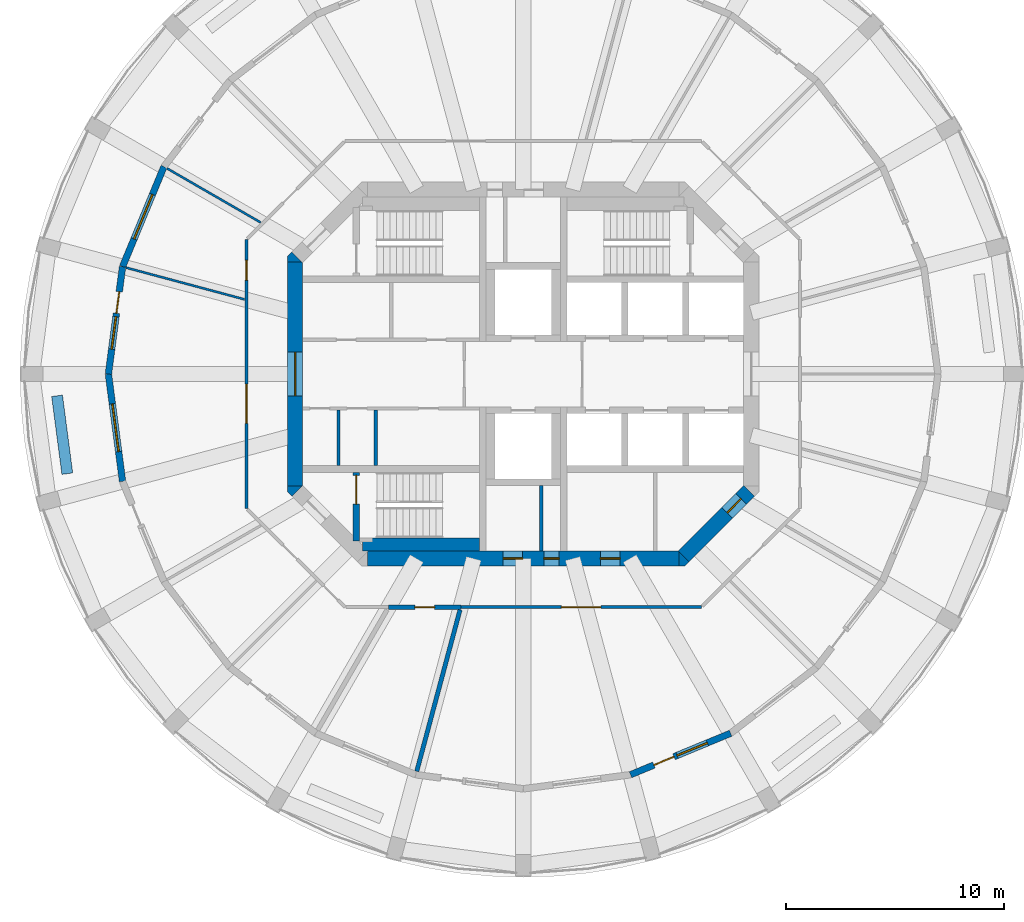
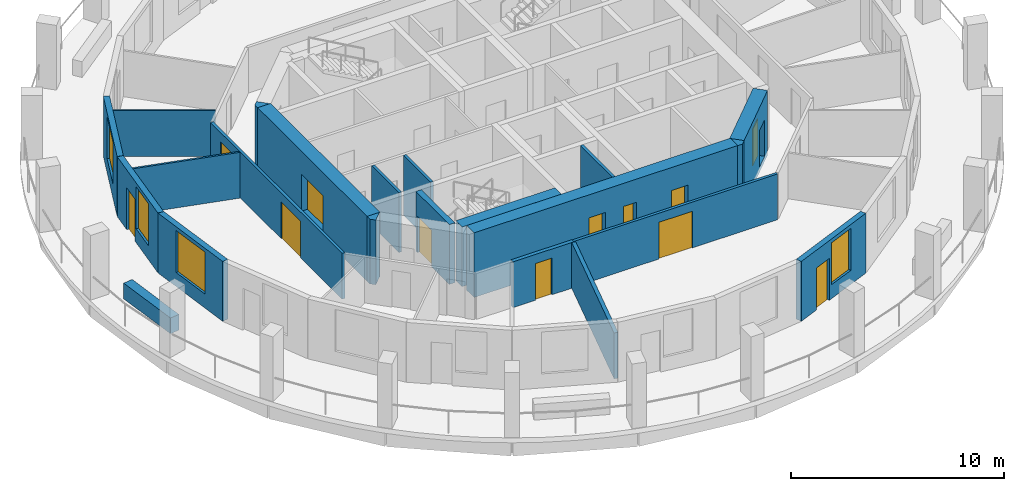
# One storey, part 3 of 9: 22 walls, 12 doors, 4 windows, 16 openings.
"""IFC4 building model written with IfcOpenShell, lengths in metres."""

from ifc_helpers import new_model, si_unit, direction, frame, frame_2d, origin, place, context, subcontext, project, spatial, polyline, rectangle, outline, extrude, material, layer, layer_set, type_object, element, fill, save


model = new_model("IFC4")

# Units and contexts
model_context = context("Model", 3, precision=1e-05, world=origin(), true_north=direction((0.0, 1.0)))
body_context = subcontext(model_context, "Body", "Model", "MODEL_VIEW")
ifc_project = project(units=[si_unit("LENGTHUNIT", "METRE"), si_unit("AREAUNIT", "SQUARE_METRE"), si_unit("VOLUMEUNIT", "CUBIC_METRE"), si_unit("PLANEANGLEUNIT", "RADIAN"), si_unit("MASSUNIT", "GRAM", prefix="KILO")], contexts=[model_context])

# Site, building, storey
site_placement = place(None, origin())
site = spatial("IfcSite", under=ifc_project, at=site_placement, CompositionType="ELEMENT")
building_placement = place(site_placement, origin())
building = spatial("IfcBuilding", under=site, at=building_placement, Name="Torre Triforio", CompositionType="ELEMENT")
storey_placement = place(building_placement, frame((0.0, 0.0, 161.60009765625)))
storey = spatial("IfcBuildingStorey", under=building, at=storey_placement, Name="L36", CompositionType="ELEMENT", Elevation=161.60009765625)

# Wall, openings, doors
ifc_material_1 = material(Name="Concrete C50", Category="concrete")
ifc_layer_1 = layer(ifc_material_1, 0.699951171875)
ifc_layer_set_1 = layer_set([ifc_layer_1], Name="Concrete C50")
wall_type_1 = type_object("IfcWallType", Name="Core wall 700 mm C50 EI 120", PredefinedType="SHEAR", material=ifc_layer_set_1)
wall_1_placement = place(storey_placement, frame((-7.1298828125, -8.449951171875, -0.280029296875), z_axis=(0.0, 0.0, 1.0), x_axis=(1.0, 0.0, 0.0)))
wall_1 = element("IfcWall", 1, at=wall_1_placement, inside=storey, type_object=wall_type_1, Name="Core wall", PredefinedType="SHEAR", context=body_context, shape_type="SweptSolid", body=[
    extrude(rectangle(XDim=14.259765625, YDim=0.699951171875, at=frame_2d((7.1298828125, 0.0))), origin(), (0.0, 0.0, 1.0), 3.699951171875),
])
opening_1_placement = place(wall_1_placement, frame((8.080078125, 0.0, 0.280029296875)))
opening_1 = element("IfcOpeningElement", 2, at=opening_1_placement, cuts=wall_1, Name="Opening RISER-S", PredefinedType="OPENING", context=body_context, shape_type="SweptSolid", body=[
    extrude(rectangle(XDim=0.699951171875, YDim=2.10009765625, at=frame_2d((0.35009765625, 1.050048828125))), frame((0.0, 0.35986328125, 0.0), z_axis=(0.0, -1.0, 0.0), x_axis=(1.0, 0.0, 0.0)), (0.0, 0.0, 1.0), 0.719970703125),
])
opening_2_placement = place(wall_1_placement, frame((6.205078125, 0.0, 0.280029296875)))
opening_2 = element("IfcOpeningElement", 3, at=opening_2_placement, cuts=wall_1, Name="Opening SW-01B", PredefinedType="OPENING", context=body_context, shape_type="SweptSolid", body=[
    extrude(rectangle(XDim=0.89990234375, YDim=2.10009765625, at=frame_2d((0.449951171875, 1.050048828125))), frame((0.0, 0.35986328125, 0.0), z_axis=(0.0, -1.0, 0.0), x_axis=(1.0, 0.0, 0.0)), (0.0, 0.0, 1.0), 0.719970703125),
])
opening_3_placement = place(wall_1_placement, frame((10.66748046875, 0.0, 0.280029296875)))
opening_3 = element("IfcOpeningElement", 4, at=opening_3_placement, cuts=wall_1, Name="Opening SE-01A", PredefinedType="OPENING", context=body_context, shape_type="SweptSolid", body=[
    extrude(rectangle(XDim=0.89990234375, YDim=2.10009765625, at=frame_2d((0.449951171875, 1.050048828125))), frame((0.0, 0.35986328125, 0.0), z_axis=(0.0, -1.0, 0.0), x_axis=(1.0, 0.0, 0.0)), (0.0, 0.0, 1.0), 0.719970703125),
])
ifc_material_2 = material(Name="Hollow metal fire door leaf")
door_type_1 = type_object("IfcDoorType", Name="Riser door 700 x 2100 EI 60", OperationType="NOTDEFINED", PredefinedType="DOOR", material=ifc_material_2)
door_1_placement = place(opening_1_placement, origin())
door_1 = element("IfcDoor", 5, at=door_1_placement, inside=storey, type_object=door_type_1, Name="Core door RISER-S", OperationType="SINGLE_SWING_RIGHT", OverallHeight=2.10009765625, OverallWidth=0.699951171875, PredefinedType="DOOR", context=body_context, shape_type="SweptSolid", body=[
    extrude(rectangle(XDim=0.699951171875, YDim=2.10009765625, at=frame_2d((0.35009765625, 1.050048828125))), frame((0.0, 0.02490234375, 0.0), z_axis=(0.0, -1.0, 0.0), x_axis=(1.0, 0.0, 0.0)), (0.0, 0.0, 1.0), 0.050048828125),
])
fill(opening_1, door_1)
door_type_2 = type_object("IfcDoorType", Name="Room door 900 x 2100 EI 60", OperationType="NOTDEFINED", PredefinedType="DOOR", material=ifc_material_2)
door_2_placement = place(opening_2_placement, origin())
door_2 = element("IfcDoor", 6, at=door_2_placement, inside=storey, type_object=door_type_2, Name="Core door SW-01", OperationType="SINGLE_SWING_LEFT", OverallHeight=2.10009765625, OverallWidth=0.89990234375, PredefinedType="DOOR", context=body_context, shape_type="SweptSolid", body=[
    extrude(rectangle(XDim=0.89990234375, YDim=2.10009765625, at=frame_2d((0.449951171875, 1.050048828125))), frame((0.0, 0.02490234375, 0.0), z_axis=(0.0, -1.0, 0.0), x_axis=(1.0, 0.0, 0.0)), (0.0, 0.0, 1.0), 0.050048828125),
])
fill(opening_2, door_2)
door_3_placement = place(opening_3_placement, origin())
door_3 = element("IfcDoor", 7, at=door_3_placement, inside=storey, type_object=door_type_2, Name="Core door SE-01", OperationType="SINGLE_SWING_LEFT", OverallHeight=2.10009765625, OverallWidth=0.89990234375, PredefinedType="DOOR", context=body_context, shape_type="SweptSolid", body=[
    extrude(rectangle(XDim=0.89990234375, YDim=2.10009765625, at=frame_2d((0.449951171875, 1.050048828125))), frame((0.0, 0.02490234375, 0.0), z_axis=(0.0, -1.0, 0.0), x_axis=(1.0, 0.0, 0.0)), (0.0, 0.0, 1.0), 0.050048828125),
])
fill(opening_3, door_3)

# Wall, opening, door
wall_2_placement = place(storey_placement, frame((-10.449951171875, -5.1298828125, -0.280029296875), z_axis=(0.0, 0.0, 1.0), x_axis=(0.0, 1.0, 0.0)))
wall_2 = element("IfcWall", 8, at=wall_2_placement, inside=storey, type_object=wall_type_1, Name="Core wall", PredefinedType="SHEAR", context=body_context, shape_type="SweptSolid", body=[
    extrude(rectangle(XDim=10.259765625, YDim=0.699951171875, at=frame_2d((5.1298828125, 0.0))), origin(), (0.0, 0.0, 1.0), 3.699951171875),
])
opening_4_placement = place(wall_2_placement, frame((4.1298828125, 0.0, 0.280029296875)))
opening_4 = element("IfcOpeningElement", 9, at=opening_4_placement, cuts=wall_2, Name="Opening W-RING", PredefinedType="OPENING", context=body_context, shape_type="SweptSolid", body=[
    extrude(rectangle(XDim=2.0, YDim=2.10009765625, at=frame_2d((1.0, 1.050048828125))), frame((0.0, 0.35986328125, 0.0), z_axis=(0.0, -1.0, 0.0), x_axis=(1.0, 0.0, 0.0)), (0.0, 0.0, 1.0), 0.719970703125),
])
door_type_3 = type_object("IfcDoorType", Name="Lobby door 2000 x 2100 EI 60", OperationType="DOUBLE_DOOR_SINGLE_SWING", PredefinedType="DOOR", material=ifc_material_2)
door_4_placement = place(opening_4_placement, origin())
door_4 = element("IfcDoor", 10, at=door_4_placement, inside=storey, type_object=door_type_3, Name="Core door W-RING", OperationType="DOUBLE_DOOR_SINGLE_SWING", OverallHeight=2.10009765625, OverallWidth=2.0, PredefinedType="DOOR", context=body_context, shape_type="SweptSolid", body=[
    extrude(rectangle(XDim=2.0, YDim=2.10009765625, at=frame_2d((1.0, 1.050048828125))), frame((0.0, 0.02490234375, 0.0), z_axis=(0.0, -1.0, 0.0), x_axis=(1.0, 0.0, 0.0)), (0.0, 0.0, 1.0), 0.050048828125),
])
fill(opening_4, door_4)

wall_3_placement = place(storey_placement, frame((10.347412109375, -5.347412109375, -0.280029296875), z_axis=(0.0, 0.0, 1.0), x_axis=(-0.707106781187, -0.707106781187, 0.0)))
wall_3 = element("IfcWall", 11, at=wall_3_placement, inside=storey, type_object=wall_type_1, Name="Core wall", PredefinedType="SHEAR", context=body_context, shape_type="SweptSolid", body=[
    extrude(rectangle(XDim=4.24267578125, YDim=0.699951171875, at=frame_2d((2.121337890625, 0.0))), origin(), (0.0, 0.0, 1.0), 3.699951171875),
])
opening_5_placement = place(wall_3_placement, frame((0.52001953125, 0.0, 0.280029296875)))
opening_5 = element("IfcOpeningElement", 12, at=opening_5_placement, cuts=wall_3, Name="Opening SE-02", PredefinedType="OPENING", context=body_context, shape_type="SweptSolid", body=[
    extrude(rectangle(XDim=0.89990234375, YDim=2.10009765625, at=frame_2d((0.449951171875, 1.050048828125))), frame((0.0, 0.35986328125, 0.0), z_axis=(0.0, -1.0, 0.0), x_axis=(1.0, 0.0, 0.0)), (0.0, 0.0, 1.0), 0.719970703125),
])
door_5_placement = place(opening_5_placement, origin())
door_5 = element("IfcDoor", 13, at=door_5_placement, inside=storey, type_object=door_type_2, Name="Core door SE-02", OperationType="SINGLE_SWING_RIGHT", OverallHeight=2.10009765625, OverallWidth=0.89990234375, PredefinedType="DOOR", context=body_context, shape_type="SweptSolid", body=[
    extrude(rectangle(XDim=0.89990234375, YDim=2.10009765625, at=frame_2d((0.449951171875, 1.050048828125))), frame((0.0, 0.02490234375, 0.0), z_axis=(0.0, -1.0, 0.0), x_axis=(1.0, 0.0, 0.0)), (0.0, 0.0, 1.0), 0.050048828125),
])
fill(opening_5, door_5)

# Walls
wall_4_placement = place(storey_placement, frame((0.0, 0.0, -0.280029296875)))
element("IfcWall", 14, at=wall_4_placement, inside=storey, type_object=wall_type_1, Name="Core wall", PredefinedType="SHEAR", context=body_context, shape_type="SweptSolid", body=[
    extrude(outline(polyline([(7.389892578125, -8.800048828125), (7.1298828125, -8.800048828125), (7.1298828125, -8.800048828125), (7.1298828125, -8.1298828125), (7.594970703125, -8.594970703125), (7.594970703125, -8.594970703125), (7.594970703125, -8.594970703125), (7.389892578125, -8.800048828125)])), origin(), (0.0, 0.0, 1.0), 3.699951171875),
])
wall_5_placement = place(storey_placement, frame((0.0, 0.0, -0.280029296875)))
element("IfcWall", 15, at=wall_5_placement, inside=storey, type_object=wall_type_1, Name="Core wall", PredefinedType="SHEAR", context=body_context, shape_type="SweptSolid", body=[
    extrude(outline(polyline([(-10.800048828125, -5.389892578125), (-10.800048828125, -5.1298828125), (-10.800048828125, -5.1298828125), (-10.1298828125, -5.1298828125), (-10.594970703125, -5.594970703125), (-10.594970703125, -5.594970703125), (-10.594970703125, -5.594970703125), (-10.800048828125, -5.389892578125)])), origin(), (0.0, 0.0, 1.0), 3.699951171875),
])
wall_6_placement = place(storey_placement, frame((0.0, 0.0, -0.280029296875)))
element("IfcWall", 16, at=wall_6_placement, inside=storey, type_object=wall_type_1, Name="Core wall", PredefinedType="SHEAR", context=body_context, shape_type="SweptSolid", body=[
    extrude(outline(polyline([(-10.594970703125, 5.594970703125), (-10.594970703125, 5.594970703125), (-10.594970703125, 5.594970703125), (-10.1298828125, 5.1298828125), (-10.800048828125, 5.1298828125), (-10.800048828125, 5.1298828125), (-10.800048828125, 5.389892578125), (-10.594970703125, 5.594970703125)])), origin(), (0.0, 0.0, 1.0), 3.699951171875),
])

# Wall, opening, door
ifc_material_3 = material(Name="Plasterboard on metal studs")
ifc_layer_2 = layer(ifc_material_3, 0.14990234375)
ifc_layer_set_2 = layer_set([ifc_layer_2], Name="Plasterboard on metal studs")
wall_type_2 = type_object("IfcWallType", Name="Corridor and tenancy wall 150 mm EI 60", PredefinedType="PARTITIONING", material=ifc_layer_set_2)
wall_7_placement = place(storey_placement, frame((8.16650390625, -10.675048828125, 0.0), z_axis=(0.0, 0.0, 1.0), x_axis=(-1.0, 0.0, 0.0)))
wall_7 = element("IfcWall", 17, at=wall_7_placement, inside=storey, type_object=wall_type_2, Name="Partition 2", PredefinedType="PARTITIONING", context=body_context, shape_type="SweptSolid", body=[
    extrude(rectangle(XDim=11.02685546875, YDim=0.14990234375, at=frame_2d((5.513427734375, 0.0))), origin(), (0.0, 0.0, 1.0), 2.619873046875),
])
opening_6_placement = place(wall_7_placement, frame((4.613525390625, 0.0, 0.0)))
opening_6 = element("IfcOpeningElement", 18, at=opening_6_placement, cuts=wall_7, Name="Opening O1-13", PredefinedType="OPENING", context=body_context, shape_type="SweptSolid", body=[
    extrude(rectangle(XDim=1.800048828125, YDim=2.10009765625, at=frame_2d((0.89990234375, 1.050048828125))), frame((0.0, 0.0849609375, 0.0), z_axis=(0.0, -1.0, 0.0), x_axis=(1.0, 0.0, 0.0)), (0.0, 0.0, 1.0), 0.169921875),
])
ifc_material_4 = material(Name="Timber", Category="wood")
door_type_4 = type_object("IfcDoorType", Name="Door 1800 x 2100 double leaf EI 30", OperationType="DOUBLE_DOOR_SINGLE_SWING", PredefinedType="DOOR", material=ifc_material_4)
door_6_placement = place(opening_6_placement, origin())
door_6 = element("IfcDoor", 19, at=door_6_placement, inside=storey, type_object=door_type_4, Name="Door O1-13", OperationType="DOUBLE_DOOR_SINGLE_SWING", OverallHeight=2.10009765625, OverallWidth=1.800048828125, PredefinedType="DOOR", context=body_context, shape_type="SweptSolid", body=[
    extrude(rectangle(XDim=1.800048828125, YDim=2.10009765625, at=frame_2d((0.89990234375, 1.050048828125))), frame((0.0, 0.02490234375, 0.0), z_axis=(0.0, -1.0, 0.0), x_axis=(1.0, 0.0, 0.0)), (0.0, 0.0, 1.0), 0.050048828125),
])
fill(opening_6, door_6)

# Wall, openings, doors
wall_8_placement = place(storey_placement, frame((-12.675048828125, -6.16650390625, 0.0), z_axis=(0.0, 0.0, 1.0), x_axis=(0.0, 1.0, 0.0)))
wall_8 = element("IfcWall", 20, at=wall_8_placement, inside=storey, type_object=wall_type_2, Name="Partition 6", PredefinedType="PARTITIONING", context=body_context, shape_type="SweptSolid", body=[
    extrude(rectangle(XDim=12.3330078125, YDim=0.14990234375, at=frame_2d((6.16650390625, 0.0))), origin(), (0.0, 0.0, 1.0), 2.619873046875),
])
opening_7_placement = place(wall_8_placement, frame((10.47314453125, 0.0, 0.0)))
opening_7 = element("IfcOpeningElement", 21, at=opening_7_placement, cuts=wall_8, Name="Opening O1-08", PredefinedType="OPENING", context=body_context, shape_type="SweptSolid", body=[
    extrude(rectangle(XDim=0.89990234375, YDim=2.10009765625, at=frame_2d((0.449951171875, 1.050048828125))), frame((0.0, 0.0849609375, 0.0), z_axis=(0.0, -1.0, 0.0), x_axis=(1.0, 0.0, 0.0)), (0.0, 0.0, 1.0), 0.169921875),
])
opening_8_placement = place(wall_8_placement, frame((3.9072265625, 0.0, 0.0)))
opening_8 = element("IfcOpeningElement", 22, at=opening_8_placement, cuts=wall_8, Name="Opening O1-09", PredefinedType="OPENING", context=body_context, shape_type="SweptSolid", body=[
    extrude(rectangle(XDim=1.800048828125, YDim=2.10009765625, at=frame_2d((0.89990234375, 1.050048828125))), frame((0.0, 0.0849609375, 0.0), z_axis=(0.0, -1.0, 0.0), x_axis=(1.0, 0.0, 0.0)), (0.0, 0.0, 1.0), 0.169921875),
])
door_7_placement = place(opening_8_placement, origin())
door_7 = element("IfcDoor", 23, at=door_7_placement, inside=storey, type_object=door_type_4, Name="Door O1-09", OperationType="DOUBLE_DOOR_SINGLE_SWING", OverallHeight=2.10009765625, OverallWidth=1.800048828125, PredefinedType="DOOR", context=body_context, shape_type="SweptSolid", body=[
    extrude(rectangle(XDim=1.800048828125, YDim=2.10009765625, at=frame_2d((0.89990234375, 1.050048828125))), frame((0.0, 0.02490234375, 0.0), z_axis=(0.0, -1.0, 0.0), x_axis=(1.0, 0.0, 0.0)), (0.0, 0.0, 1.0), 0.050048828125),
])
fill(opening_8, door_7)
door_type_5 = type_object("IfcDoorType", Name="Door 900 x 2100 single leaf EI 30", OperationType="NOTDEFINED", PredefinedType="DOOR", material=ifc_material_4)
door_8_placement = place(opening_7_placement, origin())
door_8 = element("IfcDoor", 24, at=door_8_placement, inside=storey, type_object=door_type_5, Name="Door O1-08", OperationType="SINGLE_SWING_RIGHT", OverallHeight=2.10009765625, OverallWidth=0.89990234375, PredefinedType="DOOR", context=body_context, shape_type="SweptSolid", body=[
    extrude(rectangle(XDim=0.89990234375, YDim=2.10009765625, at=frame_2d((0.449951171875, 1.050048828125))), frame((0.0, 0.02490234375, 0.0), z_axis=(0.0, -1.0, 0.0), x_axis=(1.0, 0.0, 0.0)), (0.0, 0.0, 1.0), 0.050048828125),
])
fill(opening_7, door_8)

# Walls
ifc_layer_3 = layer(ifc_material_3, 0.10009765625)
ifc_layer_set_3 = layer_set([ifc_layer_3], Name="Plasterboard on metal studs")
wall_type_3 = type_object("IfcWallType", Name="Partition 100 mm board on metal studs", PredefinedType="PARTITIONING", material=ifc_layer_set_3)
wall_9_placement = place(storey_placement, frame((-12.025146484375, 6.94287109375, 0.0), z_axis=(0.0, 0.0, 1.0), x_axis=(-0.866025463095, 0.499999897272, 0.0)))
element("IfcWall", 25, at=wall_9_placement, inside=storey, type_object=wall_type_3, Name="Partition 18", PredefinedType="PARTITIONING", context=body_context, shape_type="SweptSolid", body=[
    extrude(rectangle(XDim=4.951171875, YDim=0.10009765625, at=frame_2d((2.4755859375, 0.0))), origin(), (0.0, 0.0, 1.0), 2.619873046875),
])
wall_10_placement = place(storey_placement, frame((-12.764404296875, 3.420166015625, 0.0), z_axis=(0.0, 0.0, 1.0), x_axis=(-0.965925759926, 0.258819292773, 0.0)))
element("IfcWall", 26, at=wall_10_placement, inside=storey, type_object=wall_type_3, Name="Partition 19", PredefinedType="PARTITIONING", context=body_context, shape_type="SweptSolid", body=[
    extrude(rectangle(XDim=5.6220703125, YDim=0.10009765625, at=frame_2d((2.81103515625, 0.0))), origin(), (0.0, 0.0, 1.0), 2.619873046875),
])
ifc_material_5 = material(Name="Block and board partition")
ifc_layer_4 = layer(ifc_material_5, 0.14990234375)
ifc_layer_set_4 = layer_set([ifc_layer_4], Name="Block and board partition")
wall_type_4 = type_object("IfcWallType", Name="Partition 150 mm", PredefinedType="PARTITIONING", material=ifc_layer_set_4)
for number, where, z_axis, x_axis, name in (
    (27, (-8.465087890625, -4.199951171875, 0.0), (0.0, 0.0, 1.0), (0.0, 1.0, 0.0), "Partition"),
    (28, (-6.7548828125, -4.199951171875, 0.0), (0.0, 0.0, 1.0), (0.0, 1.0, 0.0), "Partition"),
):
    element("IfcWall", number, at=place(storey_placement, frame(where, z_axis=z_axis, x_axis=x_axis)), inside=storey, type_object=wall_type_4, Name=name, PredefinedType="PARTITIONING", context=body_context, shape_type="SweptSolid", body=[
        extrude(rectangle(XDim=2.550048828125, YDim=0.14990234375, at=frame_2d((1.27490234375, 0.0))), origin(), (0.0, 0.0, 1.0), 3.419921875),
    ])
ifc_layer_5 = layer(ifc_material_5, 0.14990234375)
ifc_layer_set_5 = layer_set([ifc_layer_5], Name="Block and board partition")
wall_type_5 = type_object("IfcWallType", Name="Partition 150 mm EI 120", PredefinedType="PARTITIONING", material=ifc_layer_set_5)
wall_11_placement = place(storey_placement, frame((0.824951171875, -8.10009765625, 0.0), z_axis=(0.0, 0.0, 1.0), x_axis=(0.0, 1.0, 0.0)))
element("IfcWall", 29, at=wall_11_placement, inside=storey, type_object=wall_type_5, Name="Partition", PredefinedType="PARTITIONING", context=body_context, shape_type="SweptSolid", body=[
    extrude(rectangle(XDim=3.0, YDim=0.14990234375, at=frame_2d((1.5, 0.0))), origin(), (0.0, 0.0, 1.0), 3.419921875),
])

# Wall, opening, door
ifc_material_6 = material(Name="Masonry block", Category="masonry")
ifc_layer_6 = layer(ifc_material_6, 0.199951171875)
ifc_layer_set_6 = layer_set([ifc_layer_6], Name="Masonry block")
wall_type_6 = type_object("IfcWallType", Name="Plant room wall 200 mm block EI 120", PredefinedType="PARTITIONING", material=ifc_layer_set_6)
wall_12_placement = place(storey_placement, frame((-2.8603515625, -10.675048828125, 0.0), z_axis=(0.0, 0.0, 1.0), x_axis=(-1.0, 0.0, 0.0)))
wall_12 = element("IfcWall", 30, at=wall_12_placement, inside=storey, type_object=wall_type_6, Name="Partition 3", PredefinedType="PARTITIONING", context=body_context, shape_type="SweptSolid", body=[
    extrude(rectangle(XDim=3.302734375, YDim=0.199951171875, at=frame_2d((1.6513671875, 0.0))), origin(), (0.0, 0.0, 1.0), 2.619873046875),
])
opening_9_placement = place(wall_12_placement, frame((1.201416015625, 0.0, 0.0)))
opening_9 = element("IfcOpeningElement", 31, at=opening_9_placement, cuts=wall_12, Name="Opening O1-12", PredefinedType="OPENING", context=body_context, shape_type="SweptSolid", body=[
    extrude(rectangle(XDim=0.89990234375, YDim=2.10009765625, at=frame_2d((0.449951171875, 1.050048828125))), frame((0.0, 0.10986328125, 0.0), z_axis=(0.0, -1.0, 0.0), x_axis=(1.0, 0.0, 0.0)), (0.0, 0.0, 1.0), 0.219970703125),
])
door_type_6 = type_object("IfcDoorType", Name="Door 900 x 2100 single leaf EI 60", OperationType="NOTDEFINED", PredefinedType="DOOR", material=ifc_material_2)
door_9_placement = place(opening_9_placement, origin())
door_9 = element("IfcDoor", 32, at=door_9_placement, inside=storey, type_object=door_type_6, Name="Door O1-12", OperationType="SINGLE_SWING_LEFT", OverallHeight=2.10009765625, OverallWidth=0.89990234375, PredefinedType="DOOR", context=body_context, shape_type="SweptSolid", body=[
    extrude(rectangle(XDim=0.89990234375, YDim=2.10009765625, at=frame_2d((0.449951171875, 1.050048828125))), frame((0.0, 0.02490234375, 0.0), z_axis=(0.0, -1.0, 0.0), x_axis=(1.0, 0.0, 0.0)), (0.0, 0.0, 1.0), 0.050048828125),
])
fill(opening_9, door_9)

# Walls
wall_13_placement = place(storey_placement, frame((-2.89404296875, -10.800537109375, 0.0), z_axis=(0.0, 0.0, 1.0), x_axis=(-0.258807821336, -0.965928833618, 0.0)))
element("IfcWall", 33, at=wall_13_placement, inside=storey, type_object=wall_type_6, Name="Partition 23", PredefinedType="PARTITIONING", context=body_context, shape_type="SweptSolid", body=[
    extrude(rectangle(XDim=7.655029296875, YDim=0.199951171875, at=frame_2d((3.82763671875, 0.0))), origin(), (0.0, 0.0, 1.0), 2.619873046875),
])
ifc_material_7 = material(Name="Limestone cladding", Category="masonry")
ifc_layer_7 = layer(ifc_material_7, 0.10009765625)
ifc_material_8 = material(Name="Concrete C40", Category="concrete")
ifc_layer_8 = layer(ifc_material_8, 0.39990234375)
ifc_layer_set_7 = layer_set([ifc_layer_7, ifc_layer_8], Name="Limestone cladding / Concrete C40")
wall_type_7 = type_object("IfcWallType", Name="Planter wall 500", PredefinedType="PARAPET", material=ifc_layer_set_7)
wall_14_placement = place(storey_placement, frame((-21.352783203125, -0.99560546875, 0.0), z_axis=(0.0, 0.0, 1.0), x_axis=(0.130551000099, -0.991441595039, 0.0)))
element("IfcWall", 34, at=wall_14_placement, inside=storey, type_object=wall_type_7, Name="Planter L36 bay 13", PredefinedType="PARAPET", context=body_context, shape_type="SweptSolid", body=[
    extrude(rectangle(XDim=3.599853515625, YDim=0.5, at=frame_2d((1.7998046875, 0.0))), origin(), (0.0, 0.0, 1.0), 0.89990234375),
])

# Wall, opening, door
ifc_layer_9 = layer(ifc_material_1, 0.300048828125)
ifc_layer_set_8 = layer_set([ifc_layer_9], Name="Concrete C50")
wall_type_8 = type_object("IfcWallType", Name="Stair wall 300 mm C50 EI 120", PredefinedType="SHEAR", material=ifc_layer_set_8)
wall_15_placement = place(storey_placement, frame((-7.64990234375, -7.639892578125, 0.0), z_axis=(0.0, 0.0, 1.0), x_axis=(0.0, 1.0, 0.0)))
wall_15 = element("IfcWall", 35, at=wall_15_placement, inside=storey, type_object=wall_type_8, Name="Stair wall", PredefinedType="SHEAR", context=body_context, shape_type="SweptSolid", body=[
    extrude(rectangle(XDim=3.139892578125, YDim=0.300048828125, at=frame_2d((1.56982421875, 0.0))), origin(), (0.0, 0.0, 1.0), 3.419921875),
])
opening_10_placement = place(wall_15_placement, frame((1.679931640625, 0.0, 0.0)))
opening_10 = element("IfcOpeningElement", 36, at=opening_10_placement, cuts=wall_15, Name="Opening ST3-STA", PredefinedType="OPENING", context=body_context, shape_type="SweptSolid", body=[
    extrude(rectangle(XDim=1.320068359375, YDim=2.10009765625, at=frame_2d((0.66015625, 1.050048828125))), frame((0.0, 0.159912109375, 0.0), z_axis=(0.0, -1.0, 0.0), x_axis=(1.0, 0.0, 0.0)), (0.0, 0.0, 1.0), 0.320068359375),
])
door_type_7 = type_object("IfcDoorType", Name="Stair door 1320 x 2100 EI 90", OperationType="DOUBLE_DOOR_SINGLE_SWING", PredefinedType="DOOR", material=ifc_material_2)
door_10_placement = place(opening_10_placement, origin())
door_10 = element("IfcDoor", 37, at=door_10_placement, inside=storey, type_object=door_type_7, Name="Core door ST3-ST", OperationType="DOUBLE_DOOR_SINGLE_SWING", OverallHeight=2.10009765625, OverallWidth=1.320068359375, PredefinedType="DOOR", context=body_context, shape_type="SweptSolid", body=[
    extrude(rectangle(XDim=1.320068359375, YDim=2.10009765625, at=frame_2d((0.66015625, 1.050048828125))), frame((0.0, 0.02490234375, 0.0), z_axis=(0.0, -1.0, 0.0), x_axis=(1.0, 0.0, 0.0)), (0.0, 0.0, 1.0), 0.050048828125),
])
fill(opening_10, door_10)

# Wall
ifc_layer_10 = layer(ifc_material_1, 0.60009765625)
ifc_layer_set_9 = layer_set([ifc_layer_10], Name="Concrete C50")
wall_type_9 = type_object("IfcWallType", Name="Stair wall 600 mm C50 EI 120", PredefinedType="SHEAR", material=ifc_layer_set_9)
wall_16_placement = place(storey_placement, frame((-7.3701171875, -7.800048828125, 0.0), z_axis=(0.0, 0.0, 1.0), x_axis=(1.0, 0.0, 0.0)))
element("IfcWall", 38, at=wall_16_placement, inside=storey, type_object=wall_type_9, Name="Stair wall", PredefinedType="SHEAR", context=body_context, shape_type="SweptSolid", body=[
    extrude(rectangle(XDim=5.3701171875, YDim=0.60009765625, at=frame_2d((2.68505859375, 0.0))), origin(), (0.0, 0.0, 1.0), 3.419921875),
])

# Wall, opening, window
ifc_layer_11 = layer(ifc_material_7, 0.10009765625)
ifc_layer_12 = layer(ifc_material_8, 0.199951171875)
ifc_layer_set_10 = layer_set([ifc_layer_11, ifc_layer_12], Name="Limestone cladding / Concrete C40")
wall_type_10 = type_object("IfcWallType", Name="Stone-faced composite wall 300", PredefinedType="STANDARD", material=ifc_layer_set_10)
wall_17_placement = place(storey_placement, frame((-16.45458984375, 9.5, 0.0), z_axis=(0.0, 0.0, 1.0), x_axis=(-0.382650301762, -0.923893254961, 0.0)))
wall_17 = element("IfcWall", 39, at=wall_17_placement, inside=storey, type_object=wall_type_10, Name="External wall L36 bay 11", PredefinedType="STANDARD", context=body_context, shape_type="SweptSolid", body=[
    extrude(rectangle(XDim=4.9599609375, YDim=0.300048828125, at=frame_2d((2.47998046875, 0.0))), origin(), (0.0, 0.0, 1.0), 3.419921875),
])
opening_11_placement = place(wall_17_placement, frame((1.3798828125, 0.0, 0.800048828125)))
opening_11 = element("IfcOpeningElement", 40, at=opening_11_placement, cuts=wall_17, Name="Opening O1-W11", PredefinedType="OPENING", context=body_context, shape_type="SweptSolid", body=[
    extrude(rectangle(XDim=2.199951171875, YDim=2.39990234375, at=frame_2d((1.10009765625, 1.199951171875))), frame((0.0, 0.159912109375, 0.0), z_axis=(0.0, -1.0, 0.0), x_axis=(1.0, 0.0, 0.0)), (0.0, 0.0, 1.0), 0.320068359375),
])
ifc_material_9 = material(Name="Aluminium frame with clear double glazing", Category="aluminium")
window_type_1 = type_object("IfcWindowType", Name="Punched window 2200 x 2400", PartitioningType="DOUBLE_PANEL_VERTICAL", PredefinedType="WINDOW", material=ifc_material_9)
window_1_placement = place(opening_11_placement, origin())
window_1 = element("IfcWindow", 41, at=window_1_placement, inside=storey, type_object=window_type_1, Name="Window EWN5 L36 bay 11", OverallHeight=2.39990234375, OverallWidth=2.199951171875, PartitioningType="SINGLE_PANEL", PredefinedType="WINDOW", context=body_context, shape_type="SweptSolid", body=[
    extrude(rectangle(XDim=2.199951171875, YDim=2.39990234375, at=frame_2d((1.10009765625, 1.199951171875))), frame((0.0, 0.030029296875, 0.0), z_axis=(0.0, -1.0, 0.0), x_axis=(1.0, 0.0, 0.0)), (0.0, 0.0, 1.0), 0.06005859375),
])
fill(opening_11, window_1)

# Wall, openings, door, window
wall_18_placement = place(storey_placement, frame((-18.3525390625, 4.91748046875, 0.0), z_axis=(0.0, 0.0, 1.0), x_axis=(-0.130538549191, -0.991443234469, 0.0)))
wall_18 = element("IfcWall", 42, at=wall_18_placement, inside=storey, type_object=wall_type_10, Name="External wall L36 bay 12", PredefinedType="STANDARD", context=body_context, shape_type="SweptSolid", body=[
    extrude(rectangle(XDim=4.9599609375, YDim=0.300048828125, at=frame_2d((2.47998046875, 0.0))), origin(), (0.0, 0.0, 1.0), 3.419921875),
])
opening_12_placement = place(wall_18_placement, frame((1.155029296875, 0.0, 0.0)))
opening_12 = element("IfcOpeningElement", 43, at=opening_12_placement, cuts=wall_18, Name="Opening O1-D12", PredefinedType="OPENING", context=body_context, shape_type="SweptSolid", body=[
    extrude(rectangle(XDim=1.0, YDim=2.39990234375, at=frame_2d((0.5, 1.199951171875))), frame((0.0, 0.159912109375, 0.0), z_axis=(0.0, -1.0, 0.0), x_axis=(1.0, 0.0, 0.0)), (0.0, 0.0, 1.0), 0.320068359375),
])
opening_13_placement = place(wall_18_placement, frame((2.304931640625, 0.0, 0.800048828125)))
opening_13 = element("IfcOpeningElement", 44, at=opening_13_placement, cuts=wall_18, Name="Opening O1-W12A", PredefinedType="OPENING", context=body_context, shape_type="SweptSolid", body=[
    extrude(rectangle(XDim=1.5, YDim=2.39990234375, at=frame_2d((0.75, 1.199951171875))), frame((0.0, 0.159912109375, 0.0), z_axis=(0.0, -1.0, 0.0), x_axis=(1.0, 0.0, 0.0)), (0.0, 0.0, 1.0), 0.320068359375),
])
door_type_8 = type_object("IfcDoorType", Name="Loggia door 1000 x 2400", OperationType="NOTDEFINED", PredefinedType="DOOR", material=ifc_material_9)
door_11_placement = place(opening_12_placement, origin())
door_11 = element("IfcDoor", 45, at=door_11_placement, inside=storey, type_object=door_type_8, Name="Loggia door L36 bay 12", OperationType="SINGLE_SWING_LEFT", OverallHeight=2.39990234375, OverallWidth=1.0, PredefinedType="DOOR", context=body_context, shape_type="SweptSolid", body=[
    extrude(rectangle(XDim=1.0, YDim=2.39990234375, at=frame_2d((0.5, 1.199951171875))), frame((0.0, 0.02490234375, 0.0), z_axis=(0.0, -1.0, 0.0), x_axis=(1.0, 0.0, 0.0)), (0.0, 0.0, 1.0), 0.050048828125),
])
fill(opening_12, door_11)
window_type_2 = type_object("IfcWindowType", Name="Side window 1500 x 2400", PartitioningType="SINGLE_PANEL", PredefinedType="WINDOW", material=ifc_material_9)
window_2_placement = place(opening_13_placement, origin())
window_2 = element("IfcWindow", 46, at=window_2_placement, inside=storey, type_object=window_type_2, Name="Side window EWN14 L36 bay 12", OverallHeight=2.39990234375, OverallWidth=1.5, PartitioningType="SINGLE_PANEL", PredefinedType="WINDOW", context=body_context, shape_type="SweptSolid", body=[
    extrude(rectangle(XDim=1.5, YDim=2.39990234375, at=frame_2d((0.75, 1.199951171875))), frame((0.0, 0.030029296875, 0.0), z_axis=(0.0, -1.0, 0.0), x_axis=(1.0, 0.0, 0.0)), (0.0, 0.0, 1.0), 0.06005859375),
])
fill(opening_13, window_2)

# Wall, opening, window
wall_19_placement = place(storey_placement, frame((-19.0, 0.0, 0.0), z_axis=(0.0, 0.0, 1.0), x_axis=(0.130538549191, -0.991443234469, 0.0)))
wall_19 = element("IfcWall", 47, at=wall_19_placement, inside=storey, type_object=wall_type_10, Name="External wall L36 bay 13", PredefinedType="STANDARD", context=body_context, shape_type="SweptSolid", body=[
    extrude(rectangle(XDim=4.9599609375, YDim=0.300048828125, at=frame_2d((2.47998046875, 0.0))), origin(), (0.0, 0.0, 1.0), 3.419921875),
])
opening_14_placement = place(wall_19_placement, frame((1.3798828125, 0.0, 0.800048828125)))
opening_14 = element("IfcOpeningElement", 48, at=opening_14_placement, cuts=wall_19, Name="Opening O1-W13", PredefinedType="OPENING", context=body_context, shape_type="SweptSolid", body=[
    extrude(rectangle(XDim=2.199951171875, YDim=2.39990234375, at=frame_2d((1.10009765625, 1.199951171875))), frame((0.0, 0.159912109375, 0.0), z_axis=(0.0, -1.0, 0.0), x_axis=(1.0, 0.0, 0.0)), (0.0, 0.0, 1.0), 0.320068359375),
])
window_3_placement = place(opening_14_placement, origin())
window_3 = element("IfcWindow", 49, at=window_3_placement, inside=storey, type_object=window_type_1, Name="Window EWN5 L36 bay 13", OverallHeight=2.39990234375, OverallWidth=2.199951171875, PartitioningType="SINGLE_PANEL", PredefinedType="WINDOW", context=body_context, shape_type="SweptSolid", body=[
    extrude(rectangle(XDim=2.199951171875, YDim=2.39990234375, at=frame_2d((1.10009765625, 1.199951171875))), frame((0.0, 0.030029296875, 0.0), z_axis=(0.0, -1.0, 0.0), x_axis=(1.0, 0.0, 0.0)), (0.0, 0.0, 1.0), 0.06005859375),
])
fill(opening_14, window_3)

# Wall, openings, door, window
wall_20_placement = place(storey_placement, frame((4.91748046875, -18.3525390625, 0.0), z_axis=(0.0, 0.0, 1.0), x_axis=(0.923893254961, 0.382650301762, 0.0)))
wall_20 = element("IfcWall", 50, at=wall_20_placement, inside=storey, type_object=wall_type_10, Name="External wall L36 bay 20", PredefinedType="STANDARD", context=body_context, shape_type="SweptSolid", body=[
    extrude(rectangle(XDim=4.9599609375, YDim=0.300048828125, at=frame_2d((2.47998046875, 0.0))), origin(), (0.0, 0.0, 1.0), 3.419921875),
])
opening_15_placement = place(wall_20_placement, frame((1.155029296875, 0.0, 0.0)))
opening_15 = element("IfcOpeningElement", 51, at=opening_15_placement, cuts=wall_20, Name="Opening O1-D20", PredefinedType="OPENING", context=body_context, shape_type="SweptSolid", body=[
    extrude(rectangle(XDim=1.0, YDim=2.39990234375, at=frame_2d((0.5, 1.199951171875))), frame((0.0, 0.159912109375, 0.0), z_axis=(0.0, -1.0, 0.0), x_axis=(1.0, 0.0, 0.0)), (0.0, 0.0, 1.0), 0.320068359375),
])
opening_16_placement = place(wall_20_placement, frame((2.304931640625, 0.0, 0.800048828125)))
opening_16 = element("IfcOpeningElement", 52, at=opening_16_placement, cuts=wall_20, Name="Opening O1-W20A", PredefinedType="OPENING", context=body_context, shape_type="SweptSolid", body=[
    extrude(rectangle(XDim=1.5, YDim=2.39990234375, at=frame_2d((0.75, 1.199951171875))), frame((0.0, 0.159912109375, 0.0), z_axis=(0.0, -1.0, 0.0), x_axis=(1.0, 0.0, 0.0)), (0.0, 0.0, 1.0), 0.320068359375),
])
door_12_placement = place(opening_15_placement, origin())
door_12 = element("IfcDoor", 53, at=door_12_placement, inside=storey, type_object=door_type_8, Name="Loggia door L36 bay 20", OperationType="SINGLE_SWING_LEFT", OverallHeight=2.39990234375, OverallWidth=1.0, PredefinedType="DOOR", context=body_context, shape_type="SweptSolid", body=[
    extrude(rectangle(XDim=1.0, YDim=2.39990234375, at=frame_2d((0.5, 1.199951171875))), frame((0.0, 0.02490234375, 0.0), z_axis=(0.0, -1.0, 0.0), x_axis=(1.0, 0.0, 0.0)), (0.0, 0.0, 1.0), 0.050048828125),
])
fill(opening_15, door_12)
window_4_placement = place(opening_16_placement, origin())
window_4 = element("IfcWindow", 54, at=window_4_placement, inside=storey, type_object=window_type_2, Name="Side window EWN14 L36 bay 20", OverallHeight=2.39990234375, OverallWidth=1.5, PartitioningType="SINGLE_PANEL", PredefinedType="WINDOW", context=body_context, shape_type="SweptSolid", body=[
    extrude(rectangle(XDim=1.5, YDim=2.39990234375, at=frame_2d((0.75, 1.199951171875))), frame((0.0, 0.030029296875, 0.0), z_axis=(0.0, -1.0, 0.0), x_axis=(1.0, 0.0, 0.0)), (0.0, 0.0, 1.0), 0.06005859375),
])
fill(opening_16, window_4)

save(model, "model.ifc")
